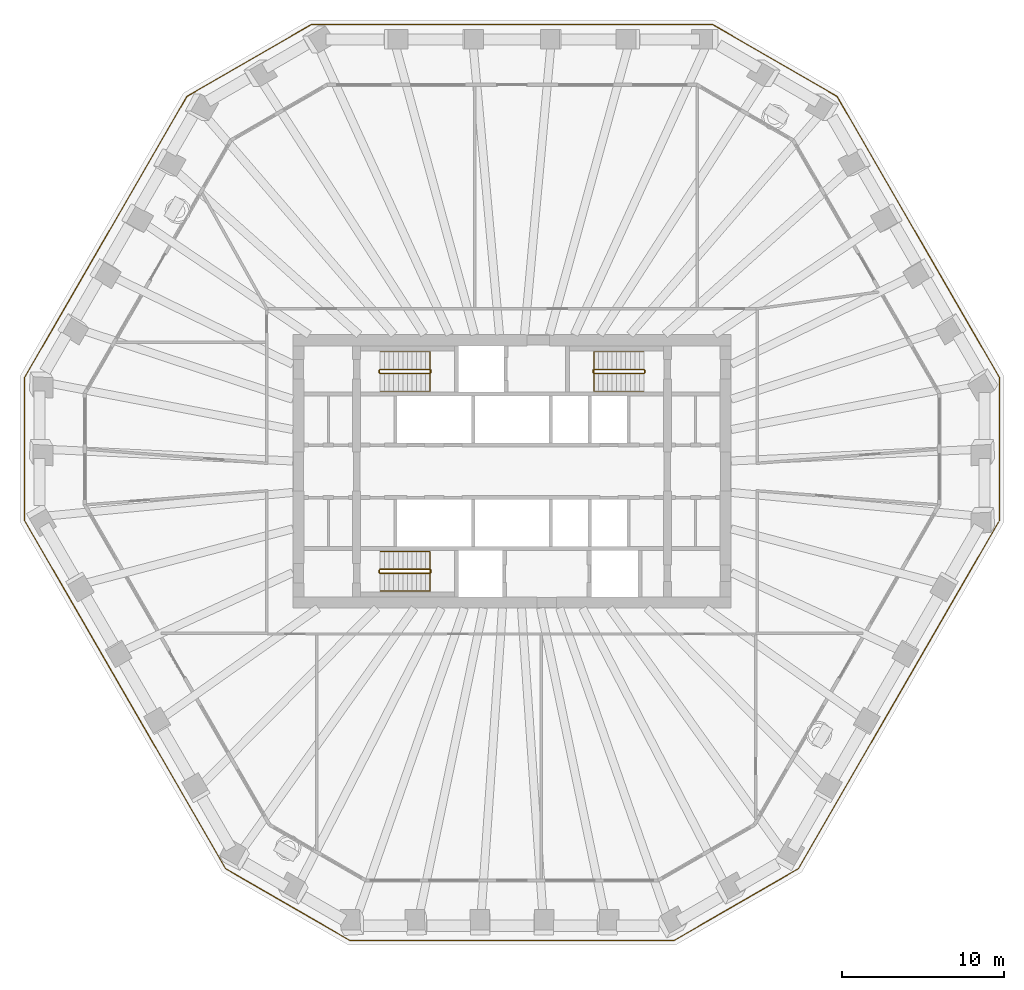
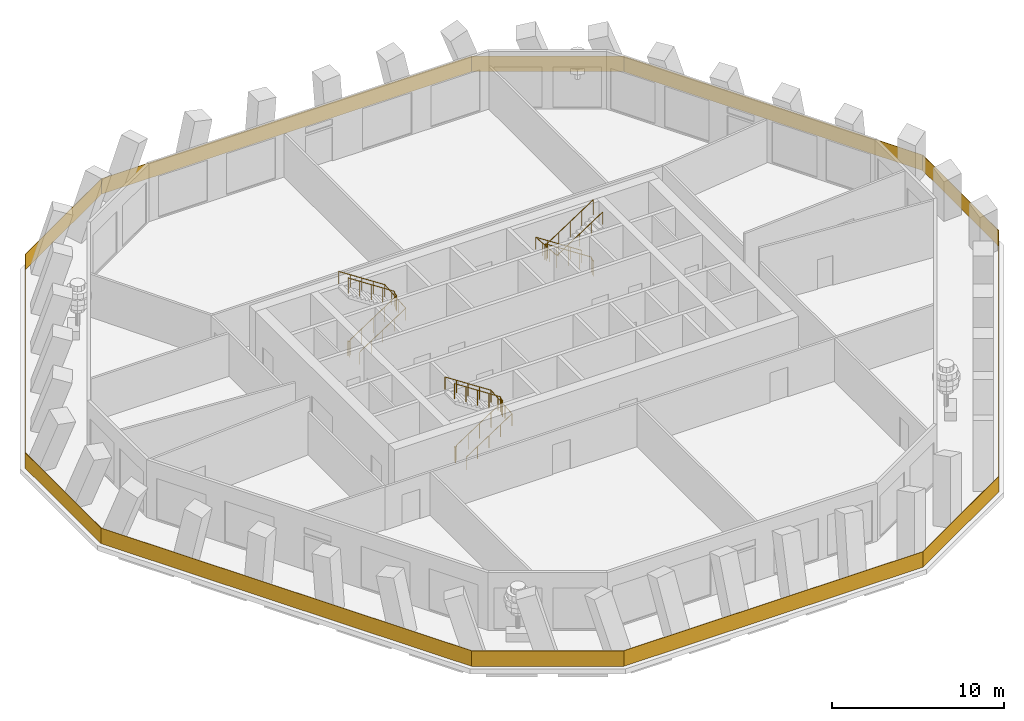
# One storey, part 9 of 11: 7 railings.
"""IFC4 building model written with IfcOpenShell, lengths in metres."""

from ifc_helpers import new_model, si_unit, direction, frame, origin, origin_2d, place, context, subcontext, project, spatial, rectangle, circle, extrude, material, type_object, element, save


model = new_model("IFC4")

# Units and contexts
model_context = context("Model", 3, precision=1e-05, world=origin(), true_north=direction((0.0, 1.0)))
body_context = subcontext(model_context, "Body", "Model", "MODEL_VIEW")
ifc_project = project(units=[si_unit("LENGTHUNIT", "METRE"), si_unit("AREAUNIT", "SQUARE_METRE"), si_unit("VOLUMEUNIT", "CUBIC_METRE"), si_unit("PLANEANGLEUNIT", "RADIAN"), si_unit("MASSUNIT", "GRAM", prefix="KILO")], contexts=[model_context])

# Site, building, storey
site_placement = place(None, origin())
site = spatial("IfcSite", under=ifc_project, at=site_placement, CompositionType="ELEMENT")
building_placement = place(site_placement, origin())
building = spatial("IfcBuilding", under=site, at=building_placement, Name="Frailejon Research Tower", CompositionType="ELEMENT")
storey_placement = place(building_placement, frame((0.0, 0.0, 198.0)))
storey = spatial("IfcBuildingStorey", under=building, at=storey_placement, Name="L43", CompositionType="ELEMENT", Elevation=198.0)

# Railings
ifc_material_1 = material(Name="Laminated glass balustrade", Category="glass")
railing_type_1 = type_object("IfcRailingType", Name="Glass guard 1100", PredefinedType="GUARDRAIL", material=ifc_material_1)
railing_1_placement = place(storey_placement, frame((30.119873046875, -3.04833984375, 0.0)))
element("IfcRailing", 1, at=railing_1_placement, inside=storey, type_object=railing_type_1, Name="Loggia guard L43", PredefinedType="GUARDRAIL", context=body_context, shape_type="SweptSolid", body=[
    extrude(rectangle(XDim=8.862060546875, YDim=0.030029296875, at=origin_2d()), frame((0.0, 4.43115234375, 0.0), z_axis=(0.0, 0.0, 1.0), x_axis=(0.0, 1.0, 0.0)), (0.0, 0.0, 1.0), 1.10009765625),
    extrude(rectangle(XDim=20.050048828125, YDim=0.030029296875, at=origin_2d()), frame((-5.0126953125, 17.5439453125, 0.0), z_axis=(0.0, 0.0, 1.0), x_axis=(-0.500006339302, 0.866021743756, 0.0)), (0.0, 0.0, 1.0), 1.10009765625),
    extrude(rectangle(XDim=8.862060546875, YDim=0.030029296875, at=origin_2d()), frame((-13.862548828125, 28.44140625, 0.0), z_axis=(0.0, 0.0, 1.0), x_axis=(-0.86602043012, 0.50000861454, 0.0)), (0.0, 0.0, 1.0), 1.10009765625),
    extrude(rectangle(XDim=24.83984375, YDim=0.030029296875, at=origin_2d()), frame((-30.119873046875, 30.656982421875, 0.0), z_axis=(0.0, 0.0, 1.0), x_axis=(-1.0, 0.0, 0.0)), (0.0, 0.0, 1.0), 1.10009765625),
    extrude(rectangle(XDim=8.862060546875, YDim=0.030029296875, at=origin_2d()), frame((-46.377197265625, 28.44140625, 0.0), z_axis=(0.0, 0.0, 1.0), x_axis=(-0.86602043012, -0.50000861454, 0.0)), (0.0, 0.0, 1.0), 1.10009765625),
    extrude(rectangle(XDim=20.050048828125, YDim=0.030029296875, at=origin_2d()), frame((-55.22705078125, 17.5439453125, 0.0), z_axis=(0.0, 0.0, 1.0), x_axis=(-0.500006339302, -0.866021743756, 0.0)), (0.0, 0.0, 1.0), 1.10009765625),
    extrude(rectangle(XDim=8.862060546875, YDim=0.030029296875, at=origin_2d()), frame((-60.23974609375, 4.43115234375, 0.0), z_axis=(0.0, 0.0, 1.0), x_axis=(0.0, -1.0, 0.0)), (0.0, 0.0, 1.0), 1.10009765625),
    extrude(rectangle(XDim=24.840087890625, YDim=0.030029296875, at=origin_2d()), frame((-54.02978515625, -10.755859375, 0.0), z_axis=(0.0, 0.0, 1.0), x_axis=(0.50000689763, -0.866021421399, 0.0)), (0.0, 0.0, 1.0), 1.10009765625),
    extrude(rectangle(XDim=8.862060546875, YDim=0.030029296875, at=origin_2d()), frame((-43.982177734375, -23.7275390625, 0.0), z_axis=(0.0, 0.0, 1.0), x_axis=(0.86602043012, -0.50000861454, 0.0)), (0.0, 0.0, 1.0), 1.10009765625),
    extrude(rectangle(XDim=20.0498046875, YDim=0.030029296875, at=origin_2d()), frame((-30.119873046875, -25.943115234375, 0.0), z_axis=(0.0, 0.0, 1.0), x_axis=(1.0, 0.0, 0.0)), (0.0, 0.0, 1.0), 1.10009765625),
    extrude(rectangle(XDim=8.862060546875, YDim=0.030029296875, at=origin_2d()), frame((-16.257568359375, -23.7275390625, 0.0), z_axis=(0.0, 0.0, 1.0), x_axis=(0.86602043012, 0.50000861454, 0.0)), (0.0, 0.0, 1.0), 1.10009765625),
    extrude(rectangle(XDim=24.77001953125, YDim=0.030029296875, at=origin_2d()), frame((-6.2275390625, -10.7861328125, 0.0), z_axis=(0.0, 0.0, 1.0), x_axis=(0.500000876701, 0.86602489762, 0.0)), (0.0, 0.0, 1.0), 1.10009765625),
])
ifc_material_2 = material(Name="Stainless steel", Category="steel")
railing_type_2 = type_object("IfcRailingType", Name="Stair guard 1100", PredefinedType="GUARDRAIL", material=ifc_material_2)
railing_2_placement = place(storey_placement, frame((-8.199951171875, 6.25, 0.0)))
element("IfcRailing", 2, at=railing_2_placement, inside=storey, type_object=railing_type_2, Name="L43 ST1 stair guard 1", PredefinedType="GUARDRAIL", context=body_context, shape_type="SweptSolid", body=[
    extrude(circle(Radius=0.02392578125, at=origin_2d()), frame((0.0, 0.0, 1.076171875), z_axis=(0.0, -1.0, 0.0), x_axis=(1.0, 0.0, 0.0)), (0.0, 0.0, 1.0), 0.14990234375),
    extrude(circle(Radius=0.02392578125, at=origin_2d()), frame((0.0, -0.14990234375, 1.076171875), z_axis=(0.254653276557, -0.254653276557, 0.932900539971), x_axis=(0.707106781187, 0.707106781187, 0.0)), (0.0, 0.0, 1.0), 0.196533203125),
    extrude(circle(Radius=0.02392578125, at=origin_2d()), frame((0.050048828125, -0.199951171875, 1.25927734375), z_axis=(0.836613101238, 0.0, 0.547794230379), x_axis=(0.0, 1.0, 0.0)), (0.0, 0.0, 1.0), 3.681396484375),
    extrude(circle(Radius=0.02392578125, at=origin_2d()), frame((3.1298828125, -0.199951171875, 3.27587890625), z_axis=(0.707106781187, 0.707106781187, 0.0), x_axis=(-0.707106781187, 0.707106781187, 0.0)), (0.0, 0.0, 1.0), 0.07080078125),
    extrude(circle(Radius=0.02392578125, at=origin_2d()), frame((3.179931640625, -0.14990234375, 3.27587890625), z_axis=(0.0, 1.0, 0.0), x_axis=(-1.0, 0.0, 0.0)), (0.0, 0.0, 1.0), 0.14990234375),
    extrude(circle(Radius=0.02392578125, at=origin_2d()), frame((3.179931640625, 0.0, 3.27587890625), z_axis=(-0.254653276557, 0.254653276557, 0.932900539971), x_axis=(-0.707106781187, -0.707106781187, 0.0)), (0.0, 0.0, 1.0), 0.196533203125),
    extrude(circle(Radius=0.02392578125, at=origin_2d()), frame((3.1298828125, 0.050048828125, 3.45947265625), z_axis=(-0.836613101238, 0.0, 0.547794230379), x_axis=(0.0, -1.0, 0.0)), (0.0, 0.0, 1.0), 3.681396484375),
    extrude(circle(Radius=0.02099609375, at=origin_2d()), origin(), (0.0, 0.0, 1.0), 1.052001953125),
    extrude(circle(Radius=0.02099609375, at=origin_2d()), frame((0.0, -0.14990234375, 0.0)), (0.0, 0.0, 1.0), 1.052001953125),
    extrude(circle(Radius=0.02099609375, at=origin_2d()), frame((0.050048828125, -0.199951171875, 0.183349609375)), (0.0, 0.0, 1.0), 1.052001953125),
    extrude(circle(Radius=0.02099609375, at=origin_2d()), frame((0.820068359375, -0.199951171875, 0.6875)), (0.0, 0.0, 1.0), 1.052001953125),
    extrude(circle(Radius=0.02099609375, at=origin_2d()), frame((1.58984375, -0.199951171875, 1.191650390625)), (0.0, 0.0, 1.0), 1.052001953125),
    extrude(circle(Radius=0.02099609375, at=origin_2d()), frame((2.35986328125, -0.199951171875, 1.69580078125)), (0.0, 0.0, 1.0), 1.052001953125),
    extrude(circle(Radius=0.02099609375, at=origin_2d()), frame((3.1298828125, -0.199951171875, 2.199951171875)), (0.0, 0.0, 1.0), 1.052001953125),
    extrude(circle(Radius=0.02099609375, at=origin_2d()), frame((3.179931640625, -0.14990234375, 2.199951171875)), (0.0, 0.0, 1.0), 1.052001953125),
    extrude(circle(Radius=0.02099609375, at=origin_2d()), frame((3.179931640625, 0.0, 2.199951171875)), (0.0, 0.0, 1.0), 1.052001953125),
    extrude(circle(Radius=0.02099609375, at=origin_2d()), frame((3.1298828125, 0.050048828125, 2.38330078125)), (0.0, 0.0, 1.0), 1.052001953125),
    extrude(circle(Radius=0.02099609375, at=origin_2d()), frame((2.35986328125, 0.050048828125, 2.887451171875)), (0.0, 0.0, 1.0), 1.052001953125),
    extrude(circle(Radius=0.02099609375, at=origin_2d()), frame((1.58984375, 0.050048828125, 3.3916015625)), (0.0, 0.0, 1.0), 1.052001953125),
    extrude(circle(Radius=0.02099609375, at=origin_2d()), frame((0.820068359375, 0.050048828125, 3.895751953125)), (0.0, 0.0, 1.0), 1.052001953125),
    extrude(circle(Radius=0.02099609375, at=origin_2d()), frame((0.050048828125, 0.050048828125, 4.39990234375)), (0.0, 0.0, 1.0), 1.052001953125),
])
railing_3_placement = place(storey_placement, frame((-8.199951171875, -6.10009765625, 0.0)))
element("IfcRailing", 3, at=railing_3_placement, inside=storey, type_object=railing_type_2, Name="L43 ST2 stair guard 1", PredefinedType="GUARDRAIL", context=body_context, shape_type="SweptSolid", body=[
    extrude(circle(Radius=0.02392578125, at=origin_2d()), frame((0.0, 0.0, 1.076171875), z_axis=(0.0, -1.0, 0.0), x_axis=(1.0, 0.0, 0.0)), (0.0, 0.0, 1.0), 0.14990234375),
    extrude(circle(Radius=0.02392578125, at=origin_2d()), frame((0.0, -0.14990234375, 1.076171875), z_axis=(0.254653276557, -0.254653276557, 0.932900539971), x_axis=(0.707106781187, 0.707106781187, 0.0)), (0.0, 0.0, 1.0), 0.196533203125),
    extrude(circle(Radius=0.02392578125, at=origin_2d()), frame((0.050048828125, -0.199951171875, 1.25927734375), z_axis=(0.836613101238, 0.0, 0.547794230379), x_axis=(0.0, 1.0, 0.0)), (0.0, 0.0, 1.0), 3.681396484375),
    extrude(circle(Radius=0.02392578125, at=origin_2d()), frame((3.1298828125, -0.199951171875, 3.27587890625), z_axis=(0.707106781187, 0.707106781187, 0.0), x_axis=(-0.707106781187, 0.707106781187, 0.0)), (0.0, 0.0, 1.0), 0.07080078125),
    extrude(circle(Radius=0.02392578125, at=origin_2d()), frame((3.179931640625, -0.14990234375, 3.27587890625), z_axis=(0.0, 1.0, 0.0), x_axis=(-1.0, 0.0, 0.0)), (0.0, 0.0, 1.0), 0.14990234375),
    extrude(circle(Radius=0.02392578125, at=origin_2d()), frame((3.179931640625, 0.0, 3.27587890625), z_axis=(-0.254653276557, 0.254653276557, 0.932900539971), x_axis=(-0.707106781187, -0.707106781187, 0.0)), (0.0, 0.0, 1.0), 0.196533203125),
    extrude(circle(Radius=0.02392578125, at=origin_2d()), frame((3.1298828125, 0.050048828125, 3.45947265625), z_axis=(-0.836613101238, 0.0, 0.547794230379), x_axis=(0.0, -1.0, 0.0)), (0.0, 0.0, 1.0), 3.681396484375),
    extrude(circle(Radius=0.02099609375, at=origin_2d()), origin(), (0.0, 0.0, 1.0), 1.052001953125),
    extrude(circle(Radius=0.02099609375, at=origin_2d()), frame((0.0, -0.14990234375, 0.0)), (0.0, 0.0, 1.0), 1.052001953125),
    extrude(circle(Radius=0.02099609375, at=origin_2d()), frame((0.050048828125, -0.199951171875, 0.183349609375)), (0.0, 0.0, 1.0), 1.052001953125),
    extrude(circle(Radius=0.02099609375, at=origin_2d()), frame((0.820068359375, -0.199951171875, 0.6875)), (0.0, 0.0, 1.0), 1.052001953125),
    extrude(circle(Radius=0.02099609375, at=origin_2d()), frame((1.58984375, -0.199951171875, 1.191650390625)), (0.0, 0.0, 1.0), 1.052001953125),
    extrude(circle(Radius=0.02099609375, at=origin_2d()), frame((2.35986328125, -0.199951171875, 1.69580078125)), (0.0, 0.0, 1.0), 1.052001953125),
    extrude(circle(Radius=0.02099609375, at=origin_2d()), frame((3.1298828125, -0.199951171875, 2.199951171875)), (0.0, 0.0, 1.0), 1.052001953125),
    extrude(circle(Radius=0.02099609375, at=origin_2d()), frame((3.179931640625, -0.14990234375, 2.199951171875)), (0.0, 0.0, 1.0), 1.052001953125),
    extrude(circle(Radius=0.02099609375, at=origin_2d()), frame((3.179931640625, 0.0, 2.199951171875)), (0.0, 0.0, 1.0), 1.052001953125),
    extrude(circle(Radius=0.02099609375, at=origin_2d()), frame((3.1298828125, 0.050048828125, 2.38330078125)), (0.0, 0.0, 1.0), 1.052001953125),
    extrude(circle(Radius=0.02099609375, at=origin_2d()), frame((2.35986328125, 0.050048828125, 2.887451171875)), (0.0, 0.0, 1.0), 1.052001953125),
    extrude(circle(Radius=0.02099609375, at=origin_2d()), frame((1.58984375, 0.050048828125, 3.3916015625)), (0.0, 0.0, 1.0), 1.052001953125),
    extrude(circle(Radius=0.02099609375, at=origin_2d()), frame((0.820068359375, 0.050048828125, 3.895751953125)), (0.0, 0.0, 1.0), 1.052001953125),
    extrude(circle(Radius=0.02099609375, at=origin_2d()), frame((0.050048828125, 0.050048828125, 4.39990234375)), (0.0, 0.0, 1.0), 1.052001953125),
])
railing_4_placement = place(storey_placement, frame((8.199951171875, 6.10009765625, 0.0)))
element("IfcRailing", 4, at=railing_4_placement, inside=storey, type_object=railing_type_2, Name="L43 ST3 stair guard 1", PredefinedType="GUARDRAIL", context=body_context, shape_type="SweptSolid", body=[
    extrude(circle(Radius=0.02392578125, at=origin_2d()), frame((0.0, 0.0, 1.076171875), z_axis=(0.0, 1.0, 0.0), x_axis=(-1.0, 0.0, 0.0)), (0.0, 0.0, 1.0), 0.14990234375),
    extrude(circle(Radius=0.02392578125, at=origin_2d()), frame((0.0, 0.14990234375, 1.076171875), z_axis=(-0.254653276557, 0.254653276557, 0.932900539971), x_axis=(-0.707106781187, -0.707106781187, 0.0)), (0.0, 0.0, 1.0), 0.196533203125),
    extrude(circle(Radius=0.02392578125, at=origin_2d()), frame((-0.050048828125, 0.199951171875, 1.25927734375), z_axis=(-0.836613101238, 0.0, 0.547794230379), x_axis=(0.0, -1.0, 0.0)), (0.0, 0.0, 1.0), 3.681396484375),
    extrude(circle(Radius=0.02392578125, at=origin_2d()), frame((-3.1298828125, 0.199951171875, 3.27587890625), z_axis=(-0.707106781187, -0.707106781187, 0.0), x_axis=(0.707106781187, -0.707106781187, 0.0)), (0.0, 0.0, 1.0), 0.07080078125),
    extrude(circle(Radius=0.02392578125, at=origin_2d()), frame((-3.179931640625, 0.14990234375, 3.27587890625), z_axis=(0.0, -1.0, 0.0), x_axis=(1.0, 0.0, 0.0)), (0.0, 0.0, 1.0), 0.14990234375),
    extrude(circle(Radius=0.02392578125, at=origin_2d()), frame((-3.179931640625, 0.0, 3.27587890625), z_axis=(0.254653276557, -0.254653276557, 0.932900539971), x_axis=(0.707106781187, 0.707106781187, 0.0)), (0.0, 0.0, 1.0), 0.196533203125),
    extrude(circle(Radius=0.02392578125, at=origin_2d()), frame((-3.1298828125, -0.050048828125, 3.45947265625), z_axis=(0.836613101238, 0.0, 0.547794230379), x_axis=(0.0, 1.0, 0.0)), (0.0, 0.0, 1.0), 3.681396484375),
    extrude(circle(Radius=0.02099609375, at=origin_2d()), origin(), (0.0, 0.0, 1.0), 1.052001953125),
    extrude(circle(Radius=0.02099609375, at=origin_2d()), frame((0.0, 0.14990234375, 0.0)), (0.0, 0.0, 1.0), 1.052001953125),
    extrude(circle(Radius=0.02099609375, at=origin_2d()), frame((-0.050048828125, 0.199951171875, 0.183349609375)), (0.0, 0.0, 1.0), 1.052001953125),
    extrude(circle(Radius=0.02099609375, at=origin_2d()), frame((-0.820068359375, 0.199951171875, 0.6875)), (0.0, 0.0, 1.0), 1.052001953125),
    extrude(circle(Radius=0.02099609375, at=origin_2d()), frame((-1.58984375, 0.199951171875, 1.191650390625)), (0.0, 0.0, 1.0), 1.052001953125),
    extrude(circle(Radius=0.02099609375, at=origin_2d()), frame((-2.35986328125, 0.199951171875, 1.69580078125)), (0.0, 0.0, 1.0), 1.052001953125),
    extrude(circle(Radius=0.02099609375, at=origin_2d()), frame((-3.1298828125, 0.199951171875, 2.199951171875)), (0.0, 0.0, 1.0), 1.052001953125),
    extrude(circle(Radius=0.02099609375, at=origin_2d()), frame((-3.179931640625, 0.14990234375, 2.199951171875)), (0.0, 0.0, 1.0), 1.052001953125),
    extrude(circle(Radius=0.02099609375, at=origin_2d()), frame((-3.179931640625, 0.0, 2.199951171875)), (0.0, 0.0, 1.0), 1.052001953125),
    extrude(circle(Radius=0.02099609375, at=origin_2d()), frame((-3.1298828125, -0.050048828125, 2.38330078125)), (0.0, 0.0, 1.0), 1.052001953125),
    extrude(circle(Radius=0.02099609375, at=origin_2d()), frame((-2.35986328125, -0.050048828125, 2.887451171875)), (0.0, 0.0, 1.0), 1.052001953125),
    extrude(circle(Radius=0.02099609375, at=origin_2d()), frame((-1.58984375, -0.050048828125, 3.3916015625)), (0.0, 0.0, 1.0), 1.052001953125),
    extrude(circle(Radius=0.02099609375, at=origin_2d()), frame((-0.820068359375, -0.050048828125, 3.895751953125)), (0.0, 0.0, 1.0), 1.052001953125),
    extrude(circle(Radius=0.02099609375, at=origin_2d()), frame((-0.050048828125, -0.050048828125, 4.39990234375)), (0.0, 0.0, 1.0), 1.052001953125),
])
ifc_material_3 = material(Name="Stainless steel", Category="steel")
railing_type_3 = type_object("IfcRailingType", Name="Stair handrail 900", PredefinedType="HANDRAIL", material=ifc_material_3)
railing_5_placement = place(storey_placement, frame((-8.14990234375, 4.949951171875, 0.183349609375)))
element("IfcRailing", 5, at=railing_5_placement, inside=storey, type_object=railing_type_3, Name="L43 ST1 stair handrail 1", PredefinedType="HANDRAIL", context=body_context, shape_type="SweptSolid", body=[
    extrude(circle(Radius=0.02392578125, at=origin_2d()), frame((0.0, 0.0, 0.8759765625), z_axis=(0.836613101238, 0.0, 0.547794230379), x_axis=(0.0, 1.0, 0.0)), (0.0, 0.0, 1.0), 3.681396484375),
    extrude(circle(Radius=0.02392578125, at=origin_2d()), frame((3.079833984375, 0.0, 2.892578125), z_axis=(0.0, 0.99721134034, 0.074629368868), x_axis=(-1.0, 0.0, 0.0)), (0.0, 0.0, 1.0), 2.456787109375),
    extrude(circle(Radius=0.02392578125, at=origin_2d()), frame((3.079833984375, 2.449951171875, 3.07568359375), z_axis=(-0.836613101238, 0.0, 0.547794230379), x_axis=(0.0, -1.0, 0.0)), (0.0, 0.0, 1.0), 3.681396484375),
    extrude(circle(Radius=0.02099609375, at=origin_2d()), origin(), (0.0, 0.0, 1.0), 0.851806640625),
    extrude(circle(Radius=0.02099609375, at=origin_2d()), frame((0.77001953125, 0.0, 0.504150390625)), (0.0, 0.0, 1.0), 0.851806640625),
    extrude(circle(Radius=0.02099609375, at=origin_2d()), frame((1.5400390625, 0.0, 1.00830078125)), (0.0, 0.0, 1.0), 0.851806640625),
    extrude(circle(Radius=0.02099609375, at=origin_2d()), frame((2.309814453125, 0.0, 1.512451171875)), (0.0, 0.0, 1.0), 0.851806640625),
    extrude(circle(Radius=0.02099609375, at=origin_2d()), frame((3.079833984375, 0.0, 2.0166015625)), (0.0, 0.0, 1.0), 0.851806640625),
    extrude(circle(Radius=0.02099609375, at=origin_2d()), frame((3.079833984375, 0.816650390625, 2.07763671875)), (0.0, 0.0, 1.0), 0.851806640625),
    extrude(circle(Radius=0.02099609375, at=origin_2d()), frame((3.079833984375, 1.63330078125, 2.138916015625)), (0.0, 0.0, 1.0), 0.851806640625),
    extrude(circle(Radius=0.02099609375, at=origin_2d()), frame((3.079833984375, 2.449951171875, 2.199951171875)), (0.0, 0.0, 1.0), 0.851806640625),
    extrude(circle(Radius=0.02099609375, at=origin_2d()), frame((2.309814453125, 2.449951171875, 2.7041015625)), (0.0, 0.0, 1.0), 0.851806640625),
    extrude(circle(Radius=0.02099609375, at=origin_2d()), frame((1.5400390625, 2.449951171875, 3.208251953125)), (0.0, 0.0, 1.0), 0.851806640625),
    extrude(circle(Radius=0.02099609375, at=origin_2d()), frame((0.77001953125, 2.449951171875, 3.71240234375)), (0.0, 0.0, 1.0), 0.851806640625),
    extrude(circle(Radius=0.02099609375, at=origin_2d()), frame((0.0, 2.449951171875, 4.216552734375)), (0.0, 0.0, 1.0), 0.851806640625),
])
railing_6_placement = place(storey_placement, frame((-8.14990234375, -7.39990234375, 0.183349609375)))
element("IfcRailing", 6, at=railing_6_placement, inside=storey, type_object=railing_type_3, Name="L43 ST2 stair handrail 1", PredefinedType="HANDRAIL", context=body_context, shape_type="SweptSolid", body=[
    extrude(circle(Radius=0.02392578125, at=origin_2d()), frame((0.0, 0.0, 0.8759765625), z_axis=(0.836613101238, 0.0, 0.547794230379), x_axis=(0.0, 1.0, 0.0)), (0.0, 0.0, 1.0), 3.681396484375),
    extrude(circle(Radius=0.02392578125, at=origin_2d()), frame((3.079833984375, 0.0, 2.892578125), z_axis=(0.0, 0.99721134034, 0.074629368868), x_axis=(-1.0, 0.0, 0.0)), (0.0, 0.0, 1.0), 2.456787109375),
    extrude(circle(Radius=0.02392578125, at=origin_2d()), frame((3.079833984375, 2.449951171875, 3.07568359375), z_axis=(-0.836613101238, 0.0, 0.547794230379), x_axis=(0.0, -1.0, 0.0)), (0.0, 0.0, 1.0), 3.681396484375),
    extrude(circle(Radius=0.02099609375, at=origin_2d()), origin(), (0.0, 0.0, 1.0), 0.851806640625),
    extrude(circle(Radius=0.02099609375, at=origin_2d()), frame((0.77001953125, 0.0, 0.504150390625)), (0.0, 0.0, 1.0), 0.851806640625),
    extrude(circle(Radius=0.02099609375, at=origin_2d()), frame((1.5400390625, 0.0, 1.00830078125)), (0.0, 0.0, 1.0), 0.851806640625),
    extrude(circle(Radius=0.02099609375, at=origin_2d()), frame((2.309814453125, 0.0, 1.512451171875)), (0.0, 0.0, 1.0), 0.851806640625),
    extrude(circle(Radius=0.02099609375, at=origin_2d()), frame((3.079833984375, 0.0, 2.0166015625)), (0.0, 0.0, 1.0), 0.851806640625),
    extrude(circle(Radius=0.02099609375, at=origin_2d()), frame((3.079833984375, 0.816650390625, 2.07763671875)), (0.0, 0.0, 1.0), 0.851806640625),
    extrude(circle(Radius=0.02099609375, at=origin_2d()), frame((3.079833984375, 1.63330078125, 2.138916015625)), (0.0, 0.0, 1.0), 0.851806640625),
    extrude(circle(Radius=0.02099609375, at=origin_2d()), frame((3.079833984375, 2.449951171875, 2.199951171875)), (0.0, 0.0, 1.0), 0.851806640625),
    extrude(circle(Radius=0.02099609375, at=origin_2d()), frame((2.309814453125, 2.449951171875, 2.7041015625)), (0.0, 0.0, 1.0), 0.851806640625),
    extrude(circle(Radius=0.02099609375, at=origin_2d()), frame((1.5400390625, 2.449951171875, 3.208251953125)), (0.0, 0.0, 1.0), 0.851806640625),
    extrude(circle(Radius=0.02099609375, at=origin_2d()), frame((0.77001953125, 2.449951171875, 3.71240234375)), (0.0, 0.0, 1.0), 0.851806640625),
    extrude(circle(Radius=0.02099609375, at=origin_2d()), frame((0.0, 2.449951171875, 4.216552734375)), (0.0, 0.0, 1.0), 0.851806640625),
])
railing_7_placement = place(storey_placement, frame((8.14990234375, 7.39990234375, 0.183349609375)))
element("IfcRailing", 7, at=railing_7_placement, inside=storey, type_object=railing_type_3, Name="L43 ST3 stair handrail 1", PredefinedType="HANDRAIL", context=body_context, shape_type="SweptSolid", body=[
    extrude(circle(Radius=0.02392578125, at=origin_2d()), frame((0.0, 0.0, 0.8759765625), z_axis=(-0.836613101238, 0.0, 0.547794230379), x_axis=(0.0, -1.0, 0.0)), (0.0, 0.0, 1.0), 3.681396484375),
    extrude(circle(Radius=0.02392578125, at=origin_2d()), frame((-3.079833984375, 0.0, 2.892578125), z_axis=(0.0, -0.99721134034, 0.074629368868), x_axis=(1.0, 0.0, 0.0)), (0.0, 0.0, 1.0), 2.456787109375),
    extrude(circle(Radius=0.02392578125, at=origin_2d()), frame((-3.079833984375, -2.449951171875, 3.07568359375), z_axis=(0.836613101238, 0.0, 0.547794230379), x_axis=(0.0, 1.0, 0.0)), (0.0, 0.0, 1.0), 3.681396484375),
    extrude(circle(Radius=0.02099609375, at=origin_2d()), origin(), (0.0, 0.0, 1.0), 0.851806640625),
    extrude(circle(Radius=0.02099609375, at=origin_2d()), frame((-0.77001953125, 0.0, 0.504150390625)), (0.0, 0.0, 1.0), 0.851806640625),
    extrude(circle(Radius=0.02099609375, at=origin_2d()), frame((-1.5400390625, 0.0, 1.00830078125)), (0.0, 0.0, 1.0), 0.851806640625),
    extrude(circle(Radius=0.02099609375, at=origin_2d()), frame((-2.309814453125, 0.0, 1.512451171875)), (0.0, 0.0, 1.0), 0.851806640625),
    extrude(circle(Radius=0.02099609375, at=origin_2d()), frame((-3.079833984375, 0.0, 2.0166015625)), (0.0, 0.0, 1.0), 0.851806640625),
    extrude(circle(Radius=0.02099609375, at=origin_2d()), frame((-3.079833984375, -0.816650390625, 2.07763671875)), (0.0, 0.0, 1.0), 0.851806640625),
    extrude(circle(Radius=0.02099609375, at=origin_2d()), frame((-3.079833984375, -1.63330078125, 2.138916015625)), (0.0, 0.0, 1.0), 0.851806640625),
    extrude(circle(Radius=0.02099609375, at=origin_2d()), frame((-3.079833984375, -2.449951171875, 2.199951171875)), (0.0, 0.0, 1.0), 0.851806640625),
    extrude(circle(Radius=0.02099609375, at=origin_2d()), frame((-2.309814453125, -2.449951171875, 2.7041015625)), (0.0, 0.0, 1.0), 0.851806640625),
    extrude(circle(Radius=0.02099609375, at=origin_2d()), frame((-1.5400390625, -2.449951171875, 3.208251953125)), (0.0, 0.0, 1.0), 0.851806640625),
    extrude(circle(Radius=0.02099609375, at=origin_2d()), frame((-0.77001953125, -2.449951171875, 3.71240234375)), (0.0, 0.0, 1.0), 0.851806640625),
    extrude(circle(Radius=0.02099609375, at=origin_2d()), frame((0.0, -2.449951171875, 4.216552734375)), (0.0, 0.0, 1.0), 0.851806640625),
])

save(model, "model.ifc")
